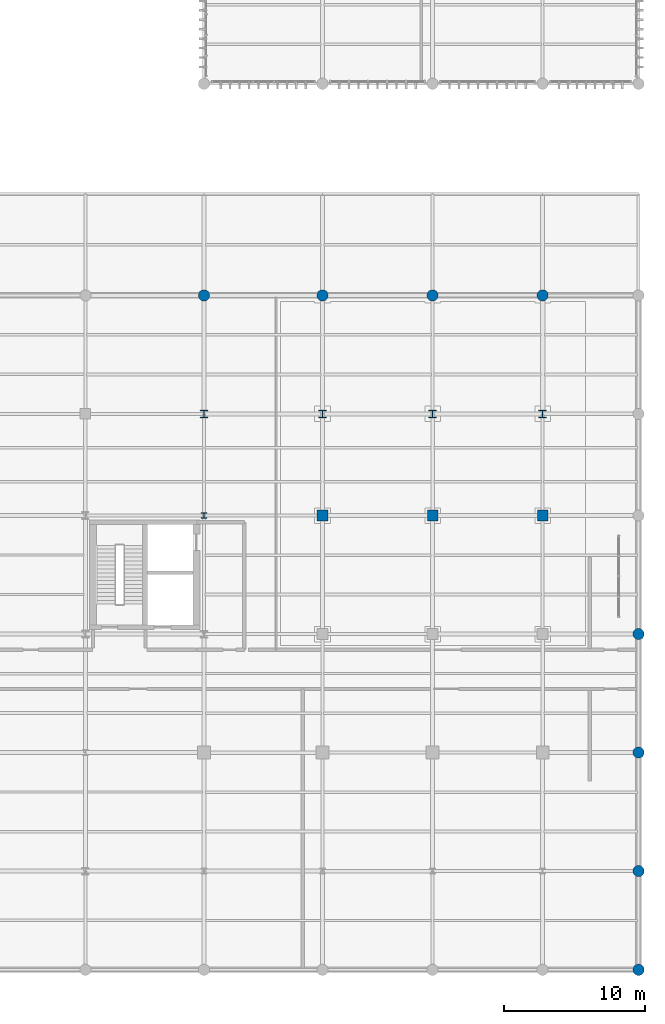
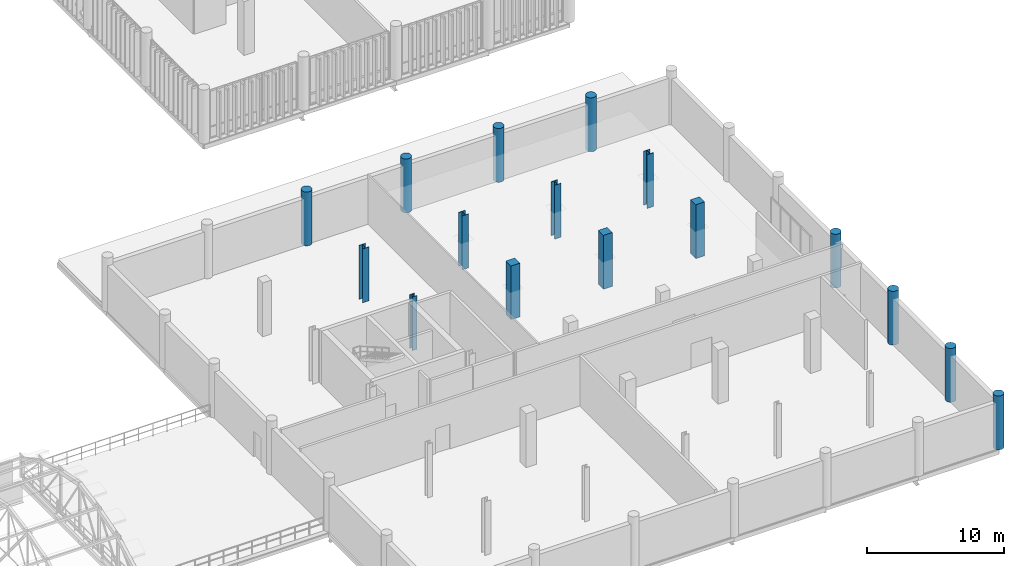
# One storey, part 9 of 109: 16 columns.
"""IFC4 building model written with IfcOpenShell, lengths in metres."""

from ifc_helpers import new_model, si_unit, direction, frame, origin_with_axes, origin_2d_with_axis, place, context, subcontext, project, spatial, rectangle, circle, i_section, extrude, material, material_profile, profile_set, type_object, element, save


model = new_model("IFC4")

# Units and contexts
model_context = context("Model", 3, precision=1e-05, world=origin_with_axes(), true_north=direction((0.0, 1.0)))
body_context = subcontext(model_context, "Body", "Model", "MODEL_VIEW")
ifc_project = project(units=[si_unit("LENGTHUNIT", "METRE"), si_unit("AREAUNIT", "SQUARE_METRE"), si_unit("VOLUMEUNIT", "CUBIC_METRE"), si_unit("PLANEANGLEUNIT", "RADIAN"), si_unit("MASSUNIT", "GRAM", prefix="KILO"), si_unit("THERMODYNAMICTEMPERATUREUNIT", "KELVIN")], contexts=[model_context])

# Site, building, storey
site_placement = place(None, origin_with_axes())
site = spatial("IfcSite", under=ifc_project, at=site_placement, CompositionType="ELEMENT")
building_placement = place(site_placement, origin_with_axes())
building = spatial("IfcBuilding", under=site, at=building_placement, Name="Montbau Bow Law Courts", CompositionType="ELEMENT")
storey_placement = place(building_placement, frame((0.0, 0.0, 10.8), z_axis=(0.0, 0.0, 1.0), x_axis=(1.0, 0.0, 0.0)))
storey = spatial("IfcBuildingStorey", under=building, at=storey_placement, Name="L02", CompositionType="ELEMENT", Elevation=10.8)

# Columns
ifc_material_1 = material(Name="Concrete CSA A23.1 f'c 40 MPa", Category="concrete")
ifc_material_profile_1 = material_profile(ifc_material_1, rectangle(XDim=0.75, YDim=0.75, at=origin_2d_with_axis()), Name="RC750X750", Category="Main", Priority=0)
ifc_profile_set_1 = profile_set([ifc_material_profile_1], Name="Concrete CSA A23.1 f'c 40 MPa")
column_type_1 = type_object("IfcColumnType", Name="C-RC-03", PredefinedType="COLUMN", material=ifc_profile_set_1)
for number, where, z_axis, x_axis, name in (
    (1, (147.0, 39.0, 10.8), (0.0, 0.0, 1.0), (1.0, 0.0, 0.0), "C-L02-S0599:col2_0599"),
    (2, (154.8, 39.0, 10.8), (0.0, 0.0, 1.0), (1.0, 0.0, 0.0), "C-L02-S0611:col2_0611"),
    (3, (162.6, 39.0, 10.8), (0.0, 0.0, 1.0), (1.0, 0.0, 0.0), "C-L02-S0623:col2_0623"),
):
    element("IfcColumn", number, at=place(None, frame(where, z_axis=z_axis, x_axis=x_axis)), inside=storey, type_object=column_type_1, Name=name, PredefinedType="COLUMN", context=body_context, shape_type="SweptSolid", body=[
        extrude(rectangle(XDim=0.75, YDim=0.75, at=origin_2d_with_axis()), origin_with_axes(), (0.0, 0.0, 1.0), 4.8),
    ])
ifc_material_profile_2 = material_profile(ifc_material_1, circle(Radius=0.4, at=origin_2d_with_axis()), Name="RC800D", Category="Main", Priority=0)
ifc_profile_set_2 = profile_set([ifc_material_profile_2], Name="Concrete CSA A23.1 f'c 40 MPa")
column_type_2 = type_object("IfcColumnType", Name="C-RC-07", PredefinedType="COLUMN", material=ifc_profile_set_2)
for number, where, z_axis, x_axis, name in (
    (4, (138.6, 54.6, 10.8), (0.0, 0.0, 1.0), (1.0, 0.0, 0.0), "C-L02-S0589:col2_0589"),
    (5, (147.0, 54.6, 10.8), (0.0, 0.0, 1.0), (1.0, 0.0, 0.0), "C-L02-S0601:col2_0601"),
    (6, (154.8, 54.6, 10.8), (0.0, 0.0, 1.0), (1.0, 0.0, 0.0), "C-L02-S0613:col2_0613"),
    (7, (162.6, 54.6, 10.8), (0.0, 0.0, 1.0), (1.0, 0.0, 0.0), "C-L02-S0625:col2_0625"),
    (8, (169.4, 6.8, 10.8), (0.0, 0.0, 1.0), (1.0, 0.0, 0.0), "C-L02-S0631:col2_0631"),
    (9, (169.4, 13.8, 10.8), (0.0, 0.0, 1.0), (1.0, 0.0, 0.0), "C-L02-S0632:col2_0632"),
    (10, (169.4, 22.2, 10.8), (0.0, 0.0, 1.0), (1.0, 0.0, 0.0), "C-L02-S0633:col2_0633"),
    (11, (169.4, 30.6, 10.8), (0.0, 0.0, 1.0), (1.0, 0.0, 0.0), "C-L02-S0634:col2_0634"),
):
    element("IfcColumn", number, at=place(None, frame(where, z_axis=z_axis, x_axis=x_axis)), inside=storey, type_object=column_type_2, Name=name, PredefinedType="COLUMN", context=body_context, shape_type="SweptSolid", body=[
        extrude(circle(Radius=0.4, at=origin_2d_with_axis()), origin_with_axes(), (0.0, 0.0, 1.0), 4.8),
    ])
ifc_material_2 = material(Name="Steel CSA G40.21 Grade 350W (350 MPa)", Category="steel")
ifc_material_profile_3 = material_profile(ifc_material_2, i_section(OverallWidth=0.55, OverallDepth=0.55, WebThickness=0.025, FlangeThickness=0.042, at=origin_2d_with_axis()), Name="WWF550X420", Category="Main", Priority=0)
ifc_profile_set_3 = profile_set([ifc_material_profile_3], Name="Steel CSA G40.21 Grade 350W (350 MPa)")
column_type_3 = type_object("IfcColumnType", Name="C-STL-01", PredefinedType="COLUMN", material=ifc_profile_set_3)
for number, where, z_axis, x_axis, name in (
    (12, (138.6, 46.2, 10.8), (0.0, 0.0, 1.0), (1.0, 0.0, 0.0), "C-L02-S0588:col2_0588"),
    (13, (147.0, 46.2, 10.8), (0.0, 0.0, 1.0), (1.0, 0.0, 0.0), "C-L02-S0600:col2_0600"),
    (14, (154.8, 46.2, 10.8), (0.0, 0.0, 1.0), (1.0, 0.0, 0.0), "C-L02-S0612:col2_0612"),
    (15, (162.6, 46.2, 10.8), (0.0, 0.0, 1.0), (1.0, 0.0, 0.0), "C-L02-S0624:col2_0624"),
):
    element("IfcColumn", number, at=place(None, frame(where, z_axis=z_axis, x_axis=x_axis)), inside=storey, type_object=column_type_3, Name=name, PredefinedType="COLUMN", context=body_context, shape_type="SweptSolid", body=[
        extrude(i_section(OverallWidth=0.55, OverallDepth=0.55, WebThickness=0.025, FlangeThickness=0.042, at=origin_2d_with_axis()), origin_with_axes(), (0.0, 0.0, 1.0), 4.8),
    ])
ifc_material_profile_4 = material_profile(ifc_material_2, i_section(OverallWidth=0.395, OverallDepth=0.38, WebThickness=0.0189, FlangeThickness=0.0302, at=origin_2d_with_axis()), Name="W360X237", Category="Main", Priority=0)
ifc_profile_set_4 = profile_set([ifc_material_profile_4], Name="Steel CSA G40.21 Grade 350W (350 MPa)")
column_type_4 = type_object("IfcColumnType", Name="C-STL-03", PredefinedType="COLUMN", material=ifc_profile_set_4)
column_placement = place(None, frame((138.6, 39.0, 10.8), z_axis=(0.0, 0.0, 1.0), x_axis=(1.0, 0.0, 0.0)))
element("IfcColumn", 16, at=column_placement, inside=storey, type_object=column_type_4, Name="C-L02-S0587:col2_0587", PredefinedType="COLUMN", context=body_context, shape_type="SweptSolid", body=[
    extrude(i_section(OverallWidth=0.395, OverallDepth=0.38, WebThickness=0.0189, FlangeThickness=0.0302, at=origin_2d_with_axis()), origin_with_axes(), (0.0, 0.0, 1.0), 4.8),
])

save(model, "model.ifc")
